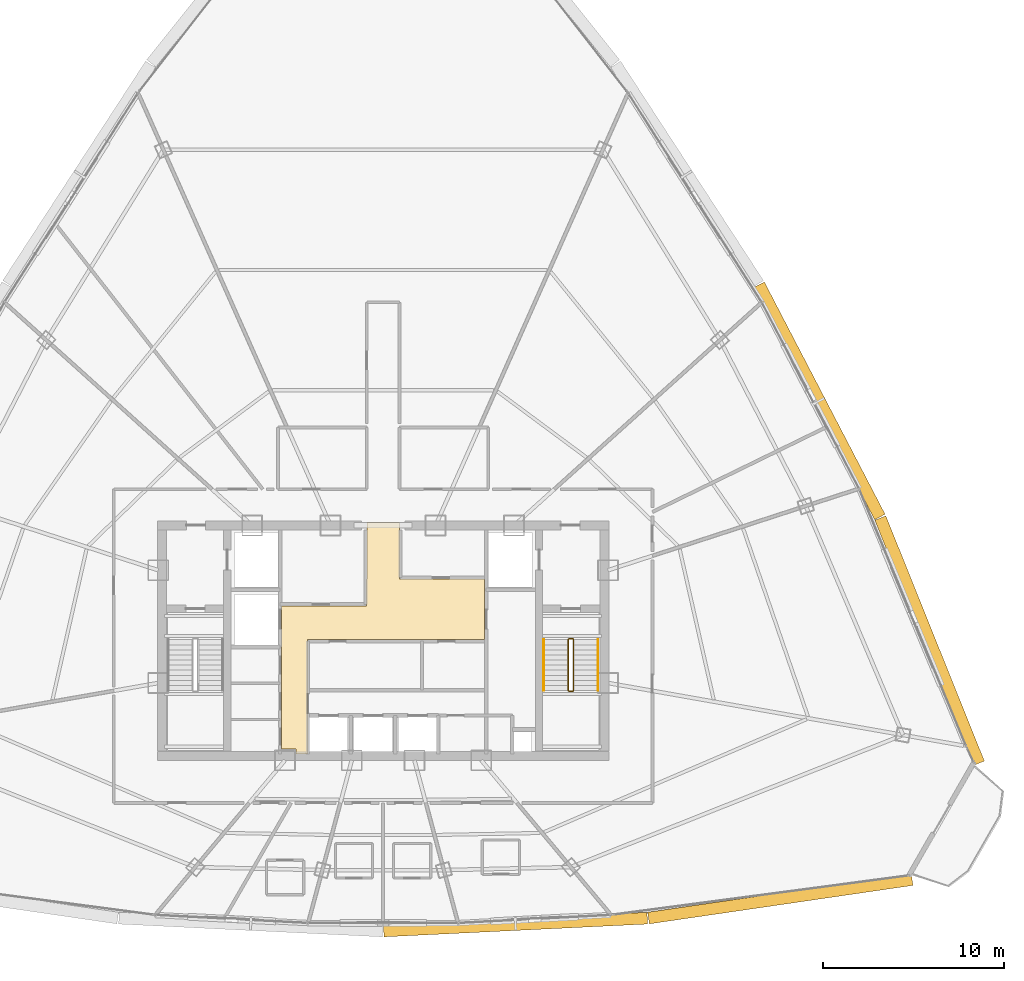
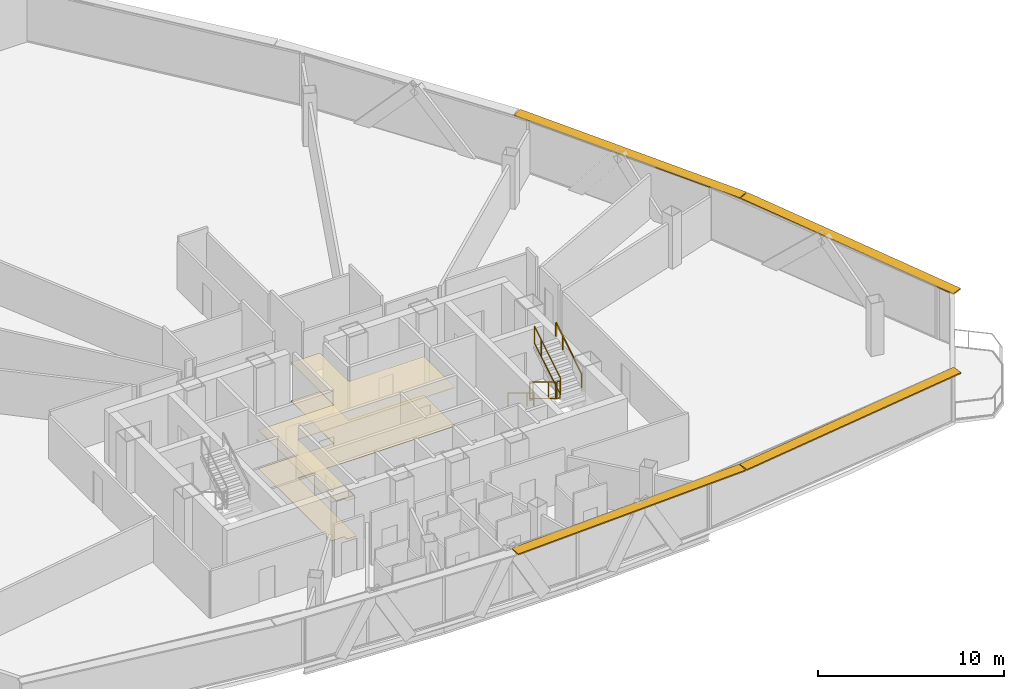
# One storey, part 36 of 37: 6 railings, 4 shading devices, 2 coverings.
"""IFC4 building model written with IfcOpenShell, lengths in metres."""

import ifcopenshell
import ifcopenshell.guid

model = None  # the IFC model being written
_history = None  # IfcOwnerHistory: only IFC2X3 demands one
_inside = {}  # id of a spatial element -> (the spatial element, [elements in it])
_under = {}  # id of a project, library or spatial element -> (it, [spatial elements below it])
_declared = {}  # id of a project -> (the project, [libraries it declares])
_typed = {}  # id of a type object -> (the type object, [elements of that type])
_made_of = {}  # id of a material, layer set ... -> (it, [elements and type objects made of it])


def new_model(schema):
    """Start an empty IFC model of exactly this schema.

    Asked for "IFC4X3", IfcOpenShell would pick the latest addendum, in which some entities
    have other attributes; the version numbers below select the first issue.
    IFC2X3 requires an IfcOwnerHistory on every rooted entity: one is made here for all.
    """
    global model, _history
    if schema == "IFC4X3":
        model = ifcopenshell.file(schema_version=(4, 3, 0, 0))
    else:
        model = ifcopenshell.file(schema=schema)
    _inside.clear()
    _under.clear()
    _declared.clear()
    _typed.clear()
    _made_of.clear()
    _history = None
    if model.schema == "IFC2X3":
        org = make("IfcOrganization", Name="unknown")
        user = make(
            "IfcPersonAndOrganization",
            ThePerson=make("IfcPerson", FamilyName="unknown"),
            TheOrganization=org,
        )
        app = make(
            "IfcApplication",
            ApplicationDeveloper=org,
            Version="unknown",
            ApplicationFullName="unknown",
            ApplicationIdentifier="unknown",
        )
        _history = make(
            "IfcOwnerHistory",
            OwningUser=user,
            OwningApplication=app,
            ChangeAction="ADDED",
            CreationDate=0,
        )
    return model


def make(cls, **values):
    """One entity of the class cls with the attributes given. An attribute that is None is left unset."""
    return model.create_entity(
        cls, **{name: value for name, value in values.items() if value is not None}
    )


def rooted(cls, **values):
    """An entity with a GlobalId (a new one), such as an element, a storey or a relation."""
    return make(cls, GlobalId=ifcopenshell.guid.new(), OwnerHistory=_history, **values)


def si_unit(unit_type, name, prefix=None):
    """IfcSIUnit, for example si_unit("LENGTHUNIT", "METRE", prefix="MILLI")."""
    return make("IfcSIUnit", UnitType=unit_type, Prefix=prefix, Name=name)


def assignment(units):
    """IfcUnitAssignment: the units of a project."""
    return None if units is None else make("IfcUnitAssignment", Units=units)


def point(xyz):
    """IfcCartesianPoint."""
    return None if xyz is None else make("IfcCartesianPoint", Coordinates=xyz)


def direction(xyz):
    """IfcDirection."""
    return None if xyz is None else make("IfcDirection", DirectionRatios=xyz)


def frame(location, z_axis=None, x_axis=None):
    """IfcAxis2Placement3D, a coordinate frame: its origin and axes. An axis left out is left unset."""
    return make(
        "IfcAxis2Placement3D",
        Location=point(location),
        Axis=direction(z_axis),
        RefDirection=direction(x_axis),
    )


def frame_2d(location, x_axis=None):
    """IfcAxis2Placement2D, a coordinate frame in the plane: its origin and x axis."""
    return make(
        "IfcAxis2Placement2D", Location=point(location), RefDirection=direction(x_axis)
    )


def origin():
    """The frame at (0, 0, 0) with its axes left unset."""
    return frame((0.0, 0.0, 0.0))


def origin_2d():
    """The frame at (0, 0) in the plane with its x axis left unset."""
    return frame_2d((0.0, 0.0))


def place(relative_to, where):
    """IfcLocalPlacement: puts the frame where relative to a parent placement (None: the world)."""
    return make(
        "IfcLocalPlacement", PlacementRelTo=relative_to, RelativePlacement=where
    )


def context(
    kind, dimensions, precision=None, world=None, true_north=None, identifier=None
):
    """IfcGeometricRepresentationContext, for example the 3D "Model" context."""
    return make(
        "IfcGeometricRepresentationContext",
        ContextIdentifier=identifier,
        ContextType=kind,
        CoordinateSpaceDimension=dimensions,
        Precision=precision,
        WorldCoordinateSystem=world,
        TrueNorth=true_north,
    )


def subcontext(parent, identifier, kind, view, scale=None):
    """IfcGeometricRepresentationSubContext, for example "Body" below "Model"."""
    return make(
        "IfcGeometricRepresentationSubContext",
        ContextIdentifier=identifier,
        ContextType=kind,
        ParentContext=parent,
        TargetScale=scale,
        TargetView=view,
    )


def project(units=None, contexts=None):
    """IfcProject with its units and contexts."""
    return rooted(
        "IfcProject",
        Name="project",
        RepresentationContexts=contexts,
        UnitsInContext=assignment(units),
    )


def spatial(cls, under=None, at=None, **own):
    """A site, building, storey or space (cls), placed at a placement, below another one or the project."""
    s = rooted(cls, ObjectPlacement=at, **own)
    if under is not None:
        _under.setdefault(under.id(), (under, []))[1].append(s)
    return s


def polyline(points):
    """IfcPolyline through the points."""
    return make("IfcPolyline", Points=[point(p) for p in points])


def profile(cls, at=None, kind="AREA", **sizes):
    """A parametric profile (cls). Its sizes go by their IFC names, for example OverallWidth=200.0."""
    return make(cls, ProfileType=kind, Position=at, **sizes)


def rectangle(**sizes):
    """IfcRectangleProfileDef."""
    return profile("IfcRectangleProfileDef", **sizes)


def outline(outer, holes=None, kind="AREA"):
    """IfcArbitraryClosedProfileDef: a profile drawn as a closed curve; with holes, ...WithVoids."""
    if holes is None:
        return make("IfcArbitraryClosedProfileDef", ProfileType=kind, OuterCurve=outer)
    return make(
        "IfcArbitraryProfileDefWithVoids",
        ProfileType=kind,
        OuterCurve=outer,
        InnerCurves=holes,
    )


def extrude(swept, where, along, depth):
    """IfcExtrudedAreaSolid: the profile swept, set in the frame where, extruded along a direction by depth."""
    return make(
        "IfcExtrudedAreaSolid",
        SweptArea=swept,
        Position=where,
        ExtrudedDirection=direction(along),
        Depth=depth,
    )


def shape(context_of_items, identifier, shape_type, items):
    """IfcShapeRepresentation: the items that make up one representation, for example the "Body"."""
    return make(
        "IfcShapeRepresentation",
        ContextOfItems=context_of_items,
        RepresentationIdentifier=identifier,
        RepresentationType=shape_type,
        Items=items,
    )


def source(mapping_origin, context_of_items, identifier, shape_type, items):
    """IfcRepresentationMap: a shape defined once, which mapped items show again and again."""
    return make(
        "IfcRepresentationMap",
        MappingOrigin=mapping_origin,
        MappedRepresentation=shape(context_of_items, identifier, shape_type, items),
    )


def transform(
    local_origin,
    x_axis=None,
    y_axis=None,
    z_axis=None,
    scale=None,
    scale2=None,
    scale3=None,
    uniform=True,
):
    """IfcCartesianTransformationOperator3D, or its non-uniform kind. x_axis, y_axis, z_axis: its Axis1, 2, 3."""
    if uniform:
        return make(
            "IfcCartesianTransformationOperator3D",
            Axis1=direction(x_axis),
            Axis2=direction(y_axis),
            LocalOrigin=point(local_origin),
            Scale=scale,
            Axis3=direction(z_axis),
        )
    return make(
        "IfcCartesianTransformationOperator3DnonUniform",
        Axis1=direction(x_axis),
        Axis2=direction(y_axis),
        LocalOrigin=point(local_origin),
        Scale=scale,
        Axis3=direction(z_axis),
        Scale2=scale2,
        Scale3=scale3,
    )


def mapped(mapping_source, mapping_target):
    """IfcMappedItem: shows the shape of a source again, moved by a transform."""
    return make(
        "IfcMappedItem", MappingSource=mapping_source, MappingTarget=mapping_target
    )


def material(Name=None, Category=None):
    """IfcMaterial."""
    return make("IfcMaterial", Name=Name, Category=Category)


def layer(
    of_material, thickness, ventilated=None, Name=None, Category=None, Priority=None
):
    """IfcMaterialLayer: one layer of a wall or slab, of a material (None: an air gap)."""
    return make(
        "IfcMaterialLayer",
        Material=of_material,
        LayerThickness=thickness,
        IsVentilated=ventilated,
        Name=Name,
        Category=Category,
        Priority=Priority,
    )


def layer_set(layers, Name=None):
    """IfcMaterialLayerSet."""
    return make("IfcMaterialLayerSet", MaterialLayers=layers, LayerSetName=Name)


def made_of(thing, what):
    """Note that an element or type object is made of a material, layer set ...; save() writes the relation."""
    if what is not None:
        _made_of.setdefault(what.id(), (what, []))[1].append(thing)
    return thing


def type_object(cls, material=None, **own):
    """A type object (cls), such as IfcWallType, which elements share."""
    return made_of(rooted(cls, **own), material)


def element(
    cls,
    number,
    at=None,
    inside=None,
    cuts=None,
    type_object=None,
    material=None,
    context=None,
    identifier="Body",
    shape_type=None,
    held_by="IfcProductDefinitionShape",
    body=None,
    shapes=None,
    **own,
):
    """One element of the class cls, such as IfcWall. Its Tag is "e" and its number.

    at: its placement. inside: the storey or other place that contains it. cuts: it is an
    opening in that element (IfcRelVoidsElement). A single representation is given by context,
    identifier, shape_type and body (its items); several are given by shapes. held_by: the class
    of the entity that holds the representations. save() writes the other relations.
    """
    e = rooted(cls, Tag="e%d" % number, ObjectPlacement=at, **own)
    if body is not None:
        shapes = [shape(context, identifier, shape_type, body)]
    if shapes is not None:
        e.Representation = make(held_by, Representations=shapes)
    if inside is not None:
        _inside.setdefault(inside.id(), (inside, []))[1].append(e)
    if cuts is not None:
        rooted(
            "IfcRelVoidsElement", RelatingBuildingElement=cuts, RelatedOpeningElement=e
        )
    if type_object is not None:
        _typed.setdefault(type_object.id(), (type_object, []))[1].append(e)
    return made_of(e, material)


def aggregate(whole, parts):
    """IfcRelAggregates: a whole, such as a stair, and the parts it consists of."""
    return rooted("IfcRelAggregates", RelatingObject=whole, RelatedObjects=parts)


def save(model, path):
    """Write the relations noted so far, then the file.

    IfcRelAggregates (storeys below a building ...), IfcRelContainedInSpatialStructure (elements
    in a storey), IfcRelDefinesByType, IfcRelAssociatesMaterial and IfcRelDeclares: one each for
    every whole, place, type object, material and project.
    """
    for whole, parts in _under.values():
        aggregate(whole, parts)
    for where, things in _inside.values():
        rooted(
            "IfcRelContainedInSpatialStructure",
            RelatedElements=things,
            RelatingStructure=where,
        )
    for kind, things in _typed.values():
        rooted("IfcRelDefinesByType", RelatedObjects=things, RelatingType=kind)
    for what, things in _made_of.values():
        rooted("IfcRelAssociatesMaterial", RelatedObjects=things, RelatingMaterial=what)
    for by, libraries in _declared.values():
        rooted("IfcRelDeclares", RelatingContext=by, RelatedDefinitions=libraries)
    model.write(path)


model = new_model("IFC4")

# Units and contexts
model_context = context("Model", 3, precision=1e-05, world=origin(), true_north=direction((0.0, 1.0)))
body_context = subcontext(model_context, "Body", "Model", "MODEL_VIEW")
ifc_project = project(units=[si_unit("LENGTHUNIT", "METRE"), si_unit("AREAUNIT", "SQUARE_METRE"), si_unit("VOLUMEUNIT", "CUBIC_METRE"), si_unit("PLANEANGLEUNIT", "RADIAN"), si_unit("MASSUNIT", "GRAM", prefix="KILO"), si_unit("THERMODYNAMICTEMPERATUREUNIT", "KELVIN"), si_unit("POWERUNIT", "WATT")], contexts=[model_context])

# Site, building, storey
site_placement = place(None, origin())
site = spatial("IfcSite", under=ifc_project, at=site_placement, CompositionType="ELEMENT")
building_placement = place(site_placement, origin())
building = spatial("IfcBuilding", under=site, at=building_placement, Name="Yunzhuo Pagoda Commons", CompositionType="ELEMENT")
storey_placement = place(building_placement, frame((0.0, 0.0, 277.56005859375)))
storey = spatial("IfcBuildingStorey", under=building, at=storey_placement, Name="L69", CompositionType="ELEMENT", Elevation=277.56005859375)

# Coverings
ifc_material_1 = material(Name="Micro-perforated metal baffle ceiling")
ifc_layer_1 = layer(ifc_material_1, 0.034912109375)
ifc_layer_set_1 = layer_set([ifc_layer_1], Name="Micro-perforated metal baffle ceiling")
covering_type_1 = type_object("IfcCoveringType", Name="COV-CL3 Ceiling 35", PredefinedType="CEILING", material=ifc_layer_set_1)
covering_1_placement = place(storey_placement, frame((0.0, 0.0, 2.52001953125)))
element("IfcCovering", 1, at=covering_1_placement, inside=storey, type_object=covering_type_1, Name="L69 lift lobby acoustic ceiling", PredefinedType="CEILING", context=body_context, shape_type="SweptSolid", body=[
    extrude(outline(polyline([(42.39990234375, 35.75), (47.080078125, 35.75), (47.080078125, 37.25), (47.10009765625, 37.25), (47.10009765625, 40.35009765625), (48.89990234375, 40.35009765625), (48.89990234375, 37.25), (53.580078125, 37.25), (53.580078125, 33.89990234375), (43.820068359375, 33.89990234375), (43.820068359375, 27.60009765625), (43.207763671875, 27.60009765625), (43.207763671875, 27.85009765625), (43.201904296875, 27.864013671875), (43.187744140625, 27.8701171875), (42.39990234375, 27.8701171875), (42.39990234375, 33.89990234375), (42.39990234375, 35.75)])), origin(), (0.0, 0.0, 1.0), 0.034912109375),
])
ifc_material_2 = material(Name="Resilient acoustic studio flooring")
ifc_layer_2 = layer(ifc_material_2, 0.01806640625)
ifc_layer_set_2 = layer_set([ifc_layer_2], Name="Resilient acoustic studio flooring")
covering_type_2 = type_object("IfcCoveringType", Name="COV-FL3 Flooring 18", PredefinedType="FLOORING", material=ifc_layer_set_2)
covering_2_placement = place(storey_placement, origin())
element("IfcCovering", 2, at=covering_2_placement, inside=storey, type_object=covering_type_2, Name="L69 lift lobby flooring", PredefinedType="FLOORING", context=body_context, shape_type="SweptSolid", body=[
    extrude(outline(polyline([(42.39990234375, 35.75), (47.080078125, 35.75), (47.080078125, 37.25), (47.10009765625, 37.25), (47.10009765625, 40.35009765625), (48.89990234375, 40.35009765625), (48.89990234375, 37.25), (53.580078125, 37.25), (53.580078125, 33.89990234375), (43.820068359375, 33.89990234375), (43.820068359375, 27.60009765625), (43.207763671875, 27.60009765625), (43.207763671875, 27.85009765625), (43.201904296875, 27.864013671875), (43.187744140625, 27.8701171875), (42.39990234375, 27.8701171875), (42.39990234375, 33.89990234375), (42.39990234375, 35.75)])), origin(), (0.0, 0.0, 1.0), 0.017822265625),
])

# Railings
ifc_material_3 = material(Name="Anodized aluminium 6063-T6", Category="aluminium")
railing_type_1 = type_object("IfcRailingType", Name="GR-ST2 Stair Well Guardrail 1160", PredefinedType="GUARDRAIL", material=ifc_material_3)
railing_1_placement = place(storey_placement, frame((58.199951171875, 33.89990234375, 0.16943359375)))
element("IfcRailing", 3, at=railing_1_placement, inside=storey, type_object=railing_type_1, Name="L69 ST2 stair guard 1", PredefinedType="GUARDRAIL", context=body_context, shape_type="SweptSolid", body=[
    extrude(rectangle(XDim=0.048095703125, YDim=0.048095703125, at=origin_2d()), frame((0.0, 0.0, 1.1259765625), z_axis=(0.0, -0.855373106579, 0.518012401918), x_axis=(1.0, 0.0, 0.0)), (0.0, 0.0, 1.0), 3.273193359375),
    extrude(rectangle(XDim=0.048095703125, YDim=0.048095703125, at=origin_2d()), frame((0.0, 0.0, 0.02392578125), z_axis=(0.0, -0.855373106579, 0.518012401918), x_axis=(1.0, 0.0, 0.0)), (0.0, 0.0, 1.0), 3.273193359375),
    extrude(rectangle(XDim=0.0419921875, YDim=0.0419921875, at=origin_2d()), origin(), (0.0, 0.0, 1.0), 1.101806640625),
    extrude(rectangle(XDim=0.0419921875, YDim=0.0419921875, at=origin_2d()), frame((0.0, -2.052978515625, 1.2431640625)), (0.0, 0.0, 1.0), 1.101806640625),
    extrude(rectangle(XDim=0.0419921875, YDim=0.0419921875, at=origin_2d()), frame((0.0, -2.7998046875, 1.695556640625)), (0.0, 0.0, 1.0), 1.101806640625),
])
railing_2_placement = place(storey_placement, frame((58.25, 31.050048828125, 1.864990234375)))
element("IfcRailing", 4, at=railing_2_placement, inside=storey, type_object=railing_type_1, Name="L69 ST2 stair guard 2", PredefinedType="GUARDRAIL", context=body_context, shape_type="SweptSolid", body=[
    extrude(rectangle(XDim=0.048095703125, YDim=0.048095703125, at=origin_2d()), frame((0.0, 0.0, 1.1259765625), z_axis=(1.0, 0.0, 0.0), x_axis=(0.0, 1.0, 0.0)), (0.0, 0.0, 1.0), 0.199951171875),
    extrude(rectangle(XDim=0.048095703125, YDim=0.048095703125, at=origin_2d()), frame((0.0, 0.0, 0.02392578125), z_axis=(1.0, 0.0, 0.0), x_axis=(0.0, 1.0, 0.0)), (0.0, 0.0, 1.0), 0.199951171875),
    extrude(rectangle(XDim=0.0419921875, YDim=0.0419921875, at=origin_2d()), origin(), (0.0, 0.0, 1.0), 1.101806640625),
    extrude(rectangle(XDim=0.0419921875, YDim=0.0419921875, at=origin_2d()), frame((0.199951171875, 0.0, 0.0)), (0.0, 0.0, 1.0), 1.101806640625),
])
railing_3_placement = place(storey_placement, frame((58.5, 31.10009765625, 2.034423828125)))
element("IfcRailing", 5, at=railing_3_placement, inside=storey, type_object=railing_type_1, Name="L69 ST2 stair guard 3", PredefinedType="GUARDRAIL", context=body_context, shape_type="SweptSolid", body=[
    extrude(rectangle(XDim=0.048095703125, YDim=0.048095703125, at=origin_2d()), frame((0.0, 0.0, 1.1259765625), z_axis=(0.0, 0.855373106579, 0.518012401918), x_axis=(-1.0, 0.0, 0.0)), (0.0, 0.0, 1.0), 3.273193359375),
    extrude(rectangle(XDim=0.048095703125, YDim=0.048095703125, at=origin_2d()), frame((0.0, 0.0, 0.02392578125), z_axis=(0.0, 0.855373106579, 0.518012401918), x_axis=(-1.0, 0.0, 0.0)), (0.0, 0.0, 1.0), 3.273193359375),
    extrude(rectangle(XDim=0.0419921875, YDim=0.0419921875, at=origin_2d()), origin(), (0.0, 0.0, 1.0), 1.101806640625),
    extrude(rectangle(XDim=0.0419921875, YDim=0.0419921875, at=origin_2d()), frame((0.0, 2.052978515625, 1.2431640625)), (0.0, 0.0, 1.0), 1.101806640625),
    extrude(rectangle(XDim=0.0419921875, YDim=0.0419921875, at=origin_2d()), frame((0.0, 2.7998046875, 1.695556640625)), (0.0, 0.0, 1.0), 1.101806640625),
])
railing_4_placement = place(storey_placement, frame((58.25, 33.949951171875, 0.0)))
element("IfcRailing", 6, at=railing_4_placement, inside=storey, type_object=railing_type_1, Name="L69 ST2 stair guard 4", PredefinedType="GUARDRAIL", context=body_context, shape_type="SweptSolid", body=[
    extrude(rectangle(XDim=0.048095703125, YDim=0.048095703125, at=origin_2d()), frame((0.0, 0.0, 1.1259765625), z_axis=(1.0, 0.0, 0.0), x_axis=(0.0, 1.0, 0.0)), (0.0, 0.0, 1.0), 0.199951171875),
    extrude(rectangle(XDim=0.048095703125, YDim=0.048095703125, at=origin_2d()), frame((0.0, 0.0, 0.02392578125), z_axis=(1.0, 0.0, 0.0), x_axis=(0.0, 1.0, 0.0)), (0.0, 0.0, 1.0), 0.199951171875),
    extrude(rectangle(XDim=0.0419921875, YDim=0.0419921875, at=origin_2d()), origin(), (0.0, 0.0, 1.0), 1.101806640625),
    extrude(rectangle(XDim=0.0419921875, YDim=0.0419921875, at=origin_2d()), frame((0.199951171875, 0.0, 0.0)), (0.0, 0.0, 1.0), 1.101806640625),
])
railing_type_2 = type_object("IfcRailingType", Name="HR-ST2 Stair Handrail 900", PredefinedType="HANDRAIL", material=ifc_material_3)
railing_5_placement = place(storey_placement, frame((56.85009765625, 33.89990234375, 0.16943359375)))
element("IfcRailing", 7, at=railing_5_placement, inside=storey, type_object=railing_type_2, Name="L69 ST2 stair handrail 1", PredefinedType="HANDRAIL", context=body_context, shape_type="SweptSolid", body=[
    extrude(rectangle(XDim=0.048095703125, YDim=0.048095703125, at=origin_2d()), frame((0.0, 0.0, 0.8759765625), z_axis=(0.0, -0.855373106579, 0.518012401918), x_axis=(1.0, 0.0, 0.0)), (0.0, 0.0, 1.0), 3.273193359375),
    extrude(rectangle(XDim=0.0419921875, YDim=0.0419921875, at=origin_2d()), origin(), (0.0, 0.0, 1.0), 0.851806640625),
    extrude(rectangle(XDim=0.0419921875, YDim=0.0419921875, at=origin_2d()), frame((0.0, -2.052978515625, 1.2431640625)), (0.0, 0.0, 1.0), 0.851806640625),
    extrude(rectangle(XDim=0.0419921875, YDim=0.0419921875, at=origin_2d()), frame((0.0, -2.7998046875, 1.695556640625)), (0.0, 0.0, 1.0), 0.851806640625),
])
railing_6_placement = place(storey_placement, frame((59.85009765625, 31.10009765625, 2.034423828125)))
element("IfcRailing", 8, at=railing_6_placement, inside=storey, type_object=railing_type_2, Name="L69 ST2 stair handrail 2", PredefinedType="HANDRAIL", context=body_context, shape_type="SweptSolid", body=[
    extrude(rectangle(XDim=0.048095703125, YDim=0.048095703125, at=origin_2d()), frame((0.0, 0.0, 0.8759765625), z_axis=(0.0, 0.855373106579, 0.518012401918), x_axis=(-1.0, 0.0, 0.0)), (0.0, 0.0, 1.0), 3.273193359375),
    extrude(rectangle(XDim=0.0419921875, YDim=0.0419921875, at=origin_2d()), origin(), (0.0, 0.0, 1.0), 0.851806640625),
    extrude(rectangle(XDim=0.0419921875, YDim=0.0419921875, at=origin_2d()), frame((0.0, 2.052978515625, 1.2431640625)), (0.0, 0.0, 1.0), 0.851806640625),
    extrude(rectangle(XDim=0.0419921875, YDim=0.0419921875, at=origin_2d()), frame((0.0, 2.7998046875, 1.695556640625)), (0.0, 0.0, 1.0), 0.851806640625),
])

# Shading devices
ifc_layer_3 = layer(ifc_material_3, 0.080078125)
ifc_layer_set_3 = layer_set([ifc_layer_3], Name="Anodized aluminium 6063-T6")
shading_device_type = type_object("IfcShadingDeviceType", Name="SH-SUN1 Pagoda Horizontal Sunshade Eave 650", PredefinedType="USERDEFINED", material=ifc_layer_set_3)
shared_shape_1 = source(origin(), body_context, "Body", "SweptSolid", [
    extrude(rectangle(XDim=14.69140625, YDim=0.64990234375, at=origin_2d()), origin(), (0.0, 0.0, 1.0), 0.080078125),
])
shading_device_1_placement = place(storey_placement, frame((69.89990234375, 19.613037109375, 3.389892578125), z_axis=(0.0, 0.0, 1.0), x_axis=(0.989510666697, 0.144459823108, 0.0)))
element("IfcShadingDevice", 9, at=shading_device_1_placement, inside=storey, type_object=shading_device_type, Name="L69 horizontal pagoda sunshade eave F1.4", ObjectType="SUNSHADE", PredefinedType="USERDEFINED", context=body_context, shape_type="MappedRepresentation", body=[
    mapped(shared_shape_1, transform((0.0, 0.0, 0.0), scale=1.0)),
])
shared_shape_2 = source(origin(), body_context, "Body", "SweptSolid", [
    extrude(rectangle(XDim=14.55419921875, YDim=0.64990234375, at=origin_2d()), origin(), (0.0, 0.0, 1.0), 0.080078125),
])
shading_device_2_placement = place(storey_placement, frame((55.300048828125, 18.192138671875, 3.389892578125), z_axis=(0.0, 0.0, 1.0), x_axis=(0.998818043775, 0.04860571396, 0.0)))
element("IfcShadingDevice", 10, at=shading_device_2_placement, inside=storey, type_object=shading_device_type, Name="L69 horizontal pagoda sunshade eave F1.3", ObjectType="SUNSHADE", PredefinedType="USERDEFINED", context=body_context, shape_type="MappedRepresentation", body=[
    mapped(shared_shape_2, transform((0.0, 0.0, 0.0), scale=1.0)),
])
shared_shape_3 = source(origin(), body_context, "Body", "SweptSolid", [
    extrude(rectangle(XDim=14.5732421875, YDim=0.64990234375, at=origin_2d()), origin(), (0.0, 0.0, 1.0), 0.080078125),
])
shading_device_3_placement = place(storey_placement, frame((78.13330078125, 33.84814453125, 3.389892578125), z_axis=(0.0, 0.0, 1.0), x_axis=(-0.372987782576, 0.927836253899, 0.0)))
element("IfcShadingDevice", 11, at=shading_device_3_placement, inside=storey, type_object=shading_device_type, Name="L69 horizontal pagoda sunshade eave F2.1", ObjectType="SUNSHADE", PredefinedType="USERDEFINED", context=body_context, shape_type="MappedRepresentation", body=[
    mapped(shared_shape_3, transform((0.0, 0.0, 0.0), scale=1.0)),
])
shared_shape_4 = source(origin(), body_context, "Body", "SweptSolid", [
    extrude(rectangle(XDim=14.434814453125, YDim=0.64990234375, at=origin_2d()), origin(), (0.0, 0.0, 1.0), 0.080078125),
])
shading_device_4_placement = place(storey_placement, frame((72.060302734375, 47.0703125, 3.389892578125), z_axis=(0.0, 0.0, 1.0), x_axis=(-0.461206683033, 0.88729273384, 0.0)))
element("IfcShadingDevice", 12, at=shading_device_4_placement, inside=storey, type_object=shading_device_type, Name="L69 horizontal pagoda sunshade eave F2.2", ObjectType="SUNSHADE", PredefinedType="USERDEFINED", context=body_context, shape_type="MappedRepresentation", body=[
    mapped(shared_shape_4, transform((0.0, 0.0, 0.0), scale=1.0)),
])

save(model, "model.ifc")
